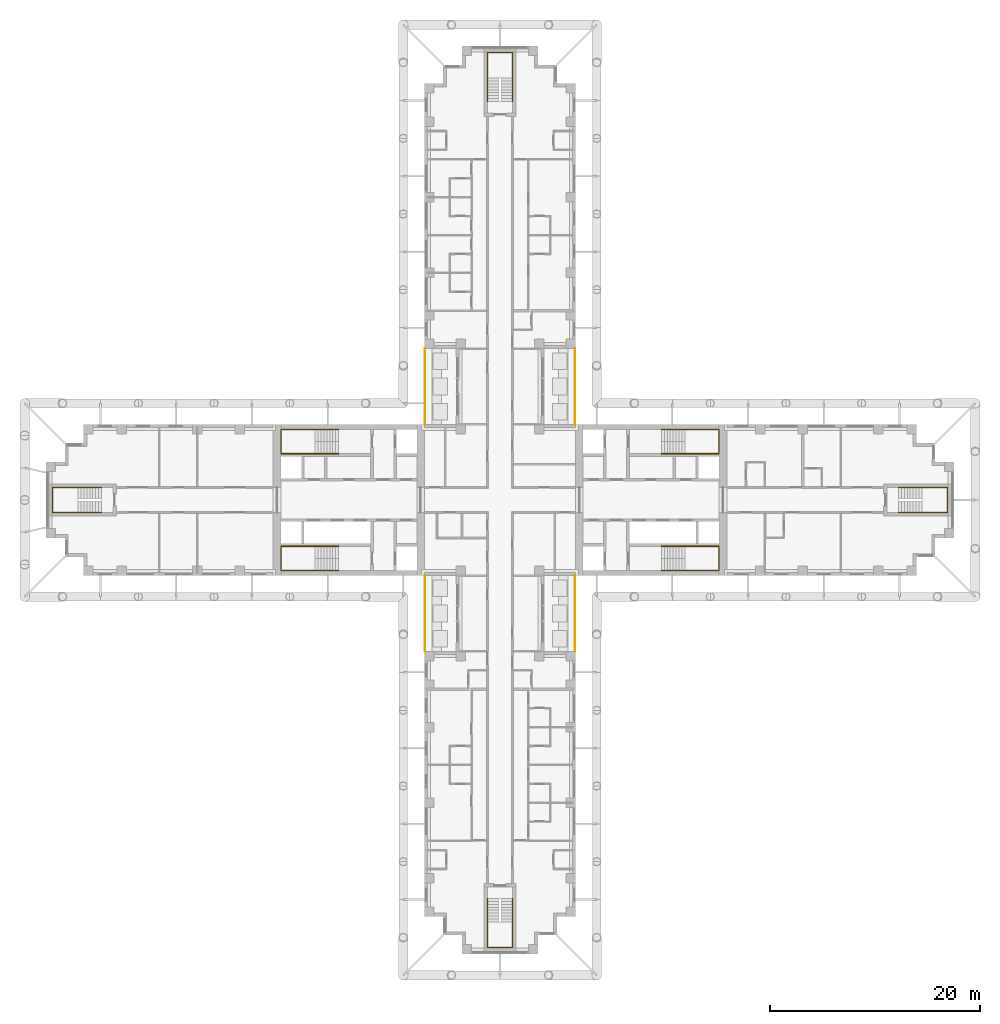
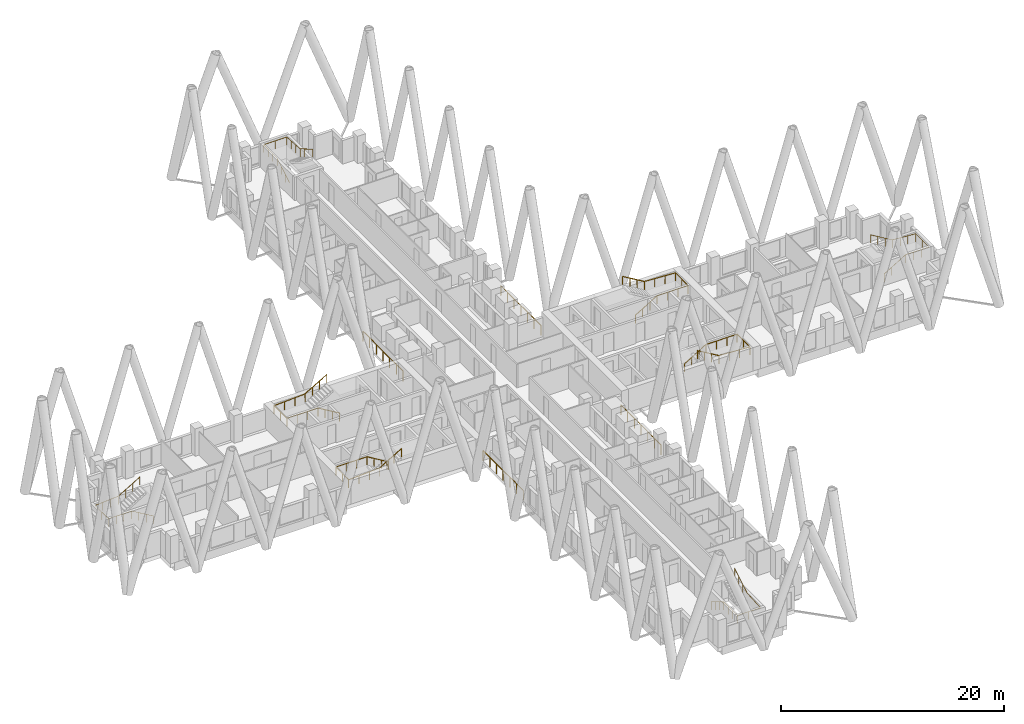
# One storey, part 16 of 17: 12 railings.
"""IFC4 building model written with IfcOpenShell, lengths in metres."""

from ifc_helpers import new_model, si_unit, direction, frame, origin, origin_2d, place, context, subcontext, project, spatial, circle, extrude, material, type_object, element, save


model = new_model("IFC4")

# Units and contexts
model_context = context("Model", 3, precision=1e-05, world=origin(), true_north=direction((0.0, 1.0)))
body_context = subcontext(model_context, "Body", "Model", "MODEL_VIEW")
ifc_project = project(units=[si_unit("LENGTHUNIT", "METRE"), si_unit("AREAUNIT", "SQUARE_METRE"), si_unit("VOLUMEUNIT", "CUBIC_METRE"), si_unit("PLANEANGLEUNIT", "RADIAN"), si_unit("MASSUNIT", "GRAM", prefix="KILO")], contexts=[model_context])

# Site, building, storey
site_placement = place(None, origin())
site = spatial("IfcSite", under=ifc_project, at=site_placement, CompositionType="ELEMENT")
building_placement = place(site_placement, origin())
building = spatial("IfcBuilding", under=site, at=building_placement, Name="Fustian Cross Tower", CompositionType="ELEMENT")
storey_placement = place(building_placement, frame((0.0, 0.0, 32.699951171875)))
storey = spatial("IfcBuildingStorey", under=building, at=storey_placement, Name="L09", CompositionType="ELEMENT", Elevation=32.699951171875)

# Railings
ifc_material_1 = material(Name="Stainless steel and glass", Category="steel")
railing_type_1 = type_object("IfcRailingType", Name="GR1 BALCONY GUARD 1100", PredefinedType="GUARDRAIL", material=ifc_material_1)
for number, where, name in (
    (1, (7.14990234375, 7.199951171875, 0.0), "Balcony guard"),
    (2, (-7.14990234375, 7.199951171875, 0.0), "Balcony guard"),
    (3, (7.14990234375, -14.39990234375, 0.0), "Balcony guard"),
    (4, (-7.14990234375, -14.39990234375, 0.0), "Balcony guard"),
):
    element("IfcRailing", number, at=place(storey_placement, frame(where)), inside=storey, type_object=railing_type_1, Name=name, PredefinedType="GUARDRAIL", context=body_context, shape_type="SweptSolid", body=[
        extrude(circle(Radius=0.02392578125, at=origin_2d()), frame((0.0, 0.0, 1.076171875), z_axis=(0.0, 1.0, 0.0), x_axis=(-1.0, 0.0, 0.0)), (0.0, 0.0, 1.0), 7.199951171875),
        extrude(circle(Radius=0.02099609375, at=origin_2d()), origin(), (0.0, 0.0, 1.0), 1.052001953125),
        extrude(circle(Radius=0.02099609375, at=origin_2d()), frame((0.0, 1.199951171875, 0.0)), (0.0, 0.0, 1.0), 1.052001953125),
        extrude(circle(Radius=0.02099609375, at=origin_2d()), frame((0.0, 2.39990234375, 0.0)), (0.0, 0.0, 1.0), 1.052001953125),
        extrude(circle(Radius=0.02099609375, at=origin_2d()), frame((0.0, 3.60009765625, 0.0)), (0.0, 0.0, 1.0), 1.052001953125),
        extrude(circle(Radius=0.02099609375, at=origin_2d()), frame((0.0, 4.800048828125, 0.0)), (0.0, 0.0, 1.0), 1.052001953125),
        extrude(circle(Radius=0.02099609375, at=origin_2d()), frame((0.0, 6.0, 0.0)), (0.0, 0.0, 1.0), 1.052001953125),
        extrude(circle(Radius=0.02099609375, at=origin_2d()), frame((0.0, 7.199951171875, 0.0)), (0.0, 0.0, 1.0), 1.052001953125),
    ])
ifc_material_2 = material(Name="Stainless steel", Category="steel")
railing_type_2 = type_object("IfcRailingType", Name="STAIR HANDRAIL", PredefinedType="HANDRAIL", material=ifc_material_2)
railing_1_placement = place(storey_placement, frame((15.35009765625, 4.39990234375, 0.166748046875)))
element("IfcRailing", 5, at=railing_1_placement, inside=storey, type_object=railing_type_2, Name="Stair ST1 handrail 1", PredefinedType="HANDRAIL", context=body_context, shape_type="SweptSolid", body=[
    extrude(circle(Radius=0.02490234375, at=origin_2d()), frame((0.0, 0.0, 0.875), z_axis=(0.859305625298, 0.0, 0.511462454469), x_axis=(0.0, 1.0, 0.0)), (0.0, 0.0, 1.0), 2.606689453125),
    extrude(circle(Radius=0.02490234375, at=origin_2d()), frame((2.239990234375, 0.0, 2.2080078125), z_axis=(1.0, 0.0, 0.0), x_axis=(0.0, 1.0, 0.0)), (0.0, 0.0, 1.0), 3.219970703125),
    extrude(circle(Radius=0.02490234375, at=origin_2d()), frame((5.4599609375, 0.0, 2.2080078125), z_axis=(0.0, 1.0, 0.0), x_axis=(-1.0, 0.0, 0.0)), (0.0, 0.0, 1.0), 2.300048828125),
    extrude(circle(Radius=0.02490234375, at=origin_2d()), frame((5.4599609375, 2.300048828125, 2.2080078125), z_axis=(-0.998661817807, 0.0, 0.051716280352), x_axis=(0.0, -1.0, 0.0)), (0.0, 0.0, 1.0), 3.224365234375),
    extrude(circle(Radius=0.02490234375, at=origin_2d()), frame((2.239990234375, 2.300048828125, 2.375), z_axis=(-0.859305625298, 0.0, 0.511462454469), x_axis=(0.0, -1.0, 0.0)), (0.0, 0.0, 1.0), 2.606689453125),
    extrude(circle(Radius=0.02001953125, at=origin_2d()), origin(), (0.0, 0.0, 1.0), 0.849853515625),
    extrude(circle(Radius=0.02001953125, at=origin_2d()), frame((0.74658203125, 0.0, 0.4443359375)), (0.0, 0.0, 1.0), 0.849853515625),
    extrude(circle(Radius=0.02001953125, at=origin_2d()), frame((1.493408203125, 0.0, 0.888916015625)), (0.0, 0.0, 1.0), 0.849853515625),
    extrude(circle(Radius=0.02001953125, at=origin_2d()), frame((2.239990234375, 0.0, 1.333251953125)), (0.0, 0.0, 1.0), 0.849853515625),
    extrude(circle(Radius=0.02001953125, at=origin_2d()), frame((3.313232421875, 0.0, 1.333251953125)), (0.0, 0.0, 1.0), 0.849853515625),
    extrude(circle(Radius=0.02001953125, at=origin_2d()), frame((4.38671875, 0.0, 1.333251953125)), (0.0, 0.0, 1.0), 0.849853515625),
    extrude(circle(Radius=0.02001953125, at=origin_2d()), frame((5.4599609375, 0.0, 1.333251953125)), (0.0, 0.0, 1.0), 0.849853515625),
    extrude(circle(Radius=0.02001953125, at=origin_2d()), frame((5.4599609375, 1.14990234375, 1.333251953125)), (0.0, 0.0, 1.0), 0.849853515625),
    extrude(circle(Radius=0.02001953125, at=origin_2d()), frame((5.4599609375, 2.300048828125, 1.333251953125)), (0.0, 0.0, 1.0), 0.849853515625),
    extrude(circle(Radius=0.02001953125, at=origin_2d()), frame((4.38671875, 2.300048828125, 1.388916015625)), (0.0, 0.0, 1.0), 0.849853515625),
    extrude(circle(Radius=0.02001953125, at=origin_2d()), frame((3.313232421875, 2.300048828125, 1.4443359375)), (0.0, 0.0, 1.0), 0.849853515625),
    extrude(circle(Radius=0.02001953125, at=origin_2d()), frame((2.239990234375, 2.300048828125, 1.5)), (0.0, 0.0, 1.0), 0.849853515625),
    extrude(circle(Radius=0.02001953125, at=origin_2d()), frame((1.493408203125, 2.300048828125, 1.9443359375)), (0.0, 0.0, 1.0), 0.849853515625),
    extrude(circle(Radius=0.02001953125, at=origin_2d()), frame((0.74658203125, 2.300048828125, 2.388916015625)), (0.0, 0.0, 1.0), 0.849853515625),
    extrude(circle(Radius=0.02001953125, at=origin_2d()), frame((0.0, 2.300048828125, 2.833251953125)), (0.0, 0.0, 1.0), 0.849853515625),
])
railing_2_placement = place(storey_placement, frame((15.35009765625, -4.39990234375, 0.166748046875)))
element("IfcRailing", 6, at=railing_2_placement, inside=storey, type_object=railing_type_2, Name="Stair ST2 handrail 1", PredefinedType="HANDRAIL", context=body_context, shape_type="SweptSolid", body=[
    extrude(circle(Radius=0.02490234375, at=origin_2d()), frame((0.0, 0.0, 0.875), z_axis=(0.859305625298, 0.0, 0.511462454469), x_axis=(0.0, 1.0, 0.0)), (0.0, 0.0, 1.0), 2.606689453125),
    extrude(circle(Radius=0.02490234375, at=origin_2d()), frame((2.239990234375, 0.0, 2.2080078125), z_axis=(1.0, 0.0, 0.0), x_axis=(0.0, 1.0, 0.0)), (0.0, 0.0, 1.0), 3.219970703125),
    extrude(circle(Radius=0.02490234375, at=origin_2d()), frame((5.4599609375, 0.0, 2.2080078125), z_axis=(0.0, -1.0, 0.0), x_axis=(1.0, 0.0, 0.0)), (0.0, 0.0, 1.0), 2.300048828125),
    extrude(circle(Radius=0.02490234375, at=origin_2d()), frame((5.4599609375, -2.300048828125, 2.2080078125), z_axis=(-0.998661817807, 0.0, 0.051716280352), x_axis=(0.0, -1.0, 0.0)), (0.0, 0.0, 1.0), 3.224365234375),
    extrude(circle(Radius=0.02490234375, at=origin_2d()), frame((2.239990234375, -2.300048828125, 2.375), z_axis=(-0.859305625298, 0.0, 0.511462454469), x_axis=(0.0, -1.0, 0.0)), (0.0, 0.0, 1.0), 2.606689453125),
    extrude(circle(Radius=0.02001953125, at=origin_2d()), origin(), (0.0, 0.0, 1.0), 0.849853515625),
    extrude(circle(Radius=0.02001953125, at=origin_2d()), frame((0.74658203125, 0.0, 0.4443359375)), (0.0, 0.0, 1.0), 0.849853515625),
    extrude(circle(Radius=0.02001953125, at=origin_2d()), frame((1.493408203125, 0.0, 0.888916015625)), (0.0, 0.0, 1.0), 0.849853515625),
    extrude(circle(Radius=0.02001953125, at=origin_2d()), frame((2.239990234375, 0.0, 1.333251953125)), (0.0, 0.0, 1.0), 0.849853515625),
    extrude(circle(Radius=0.02001953125, at=origin_2d()), frame((3.313232421875, 0.0, 1.333251953125)), (0.0, 0.0, 1.0), 0.849853515625),
    extrude(circle(Radius=0.02001953125, at=origin_2d()), frame((4.38671875, 0.0, 1.333251953125)), (0.0, 0.0, 1.0), 0.849853515625),
    extrude(circle(Radius=0.02001953125, at=origin_2d()), frame((5.4599609375, 0.0, 1.333251953125)), (0.0, 0.0, 1.0), 0.849853515625),
    extrude(circle(Radius=0.02001953125, at=origin_2d()), frame((5.4599609375, -1.14990234375, 1.333251953125)), (0.0, 0.0, 1.0), 0.849853515625),
    extrude(circle(Radius=0.02001953125, at=origin_2d()), frame((5.4599609375, -2.300048828125, 1.333251953125)), (0.0, 0.0, 1.0), 0.849853515625),
    extrude(circle(Radius=0.02001953125, at=origin_2d()), frame((4.38671875, -2.300048828125, 1.388916015625)), (0.0, 0.0, 1.0), 0.849853515625),
    extrude(circle(Radius=0.02001953125, at=origin_2d()), frame((3.313232421875, -2.300048828125, 1.4443359375)), (0.0, 0.0, 1.0), 0.849853515625),
    extrude(circle(Radius=0.02001953125, at=origin_2d()), frame((2.239990234375, -2.300048828125, 1.5)), (0.0, 0.0, 1.0), 0.849853515625),
    extrude(circle(Radius=0.02001953125, at=origin_2d()), frame((1.493408203125, -2.300048828125, 1.9443359375)), (0.0, 0.0, 1.0), 0.849853515625),
    extrude(circle(Radius=0.02001953125, at=origin_2d()), frame((0.74658203125, -2.300048828125, 2.388916015625)), (0.0, 0.0, 1.0), 0.849853515625),
    extrude(circle(Radius=0.02001953125, at=origin_2d()), frame((0.0, -2.300048828125, 2.833251953125)), (0.0, 0.0, 1.0), 0.849853515625),
])
railing_3_placement = place(storey_placement, frame((-15.35009765625, 4.39990234375, 0.166748046875)))
element("IfcRailing", 7, at=railing_3_placement, inside=storey, type_object=railing_type_2, Name="Stair ST3 handrail 1", PredefinedType="HANDRAIL", context=body_context, shape_type="SweptSolid", body=[
    extrude(circle(Radius=0.02490234375, at=origin_2d()), frame((0.0, 0.0, 0.875), z_axis=(-0.859305625298, 0.0, 0.511462454469), x_axis=(0.0, -1.0, 0.0)), (0.0, 0.0, 1.0), 2.606689453125),
    extrude(circle(Radius=0.02490234375, at=origin_2d()), frame((-2.239990234375, 0.0, 2.2080078125), z_axis=(-1.0, 0.0, 0.0), x_axis=(0.0, -1.0, 0.0)), (0.0, 0.0, 1.0), 3.219970703125),
    extrude(circle(Radius=0.02490234375, at=origin_2d()), frame((-5.4599609375, 0.0, 2.2080078125), z_axis=(0.0, 1.0, 0.0), x_axis=(-1.0, 0.0, 0.0)), (0.0, 0.0, 1.0), 2.300048828125),
    extrude(circle(Radius=0.02490234375, at=origin_2d()), frame((-5.4599609375, 2.300048828125, 2.2080078125), z_axis=(0.998661817807, 0.0, 0.051716280352), x_axis=(0.0, 1.0, 0.0)), (0.0, 0.0, 1.0), 3.224365234375),
    extrude(circle(Radius=0.02490234375, at=origin_2d()), frame((-2.239990234375, 2.300048828125, 2.375), z_axis=(0.859305625298, 0.0, 0.511462454469), x_axis=(0.0, 1.0, 0.0)), (0.0, 0.0, 1.0), 2.606689453125),
    extrude(circle(Radius=0.02001953125, at=origin_2d()), origin(), (0.0, 0.0, 1.0), 0.849853515625),
    extrude(circle(Radius=0.02001953125, at=origin_2d()), frame((-0.74658203125, 0.0, 0.4443359375)), (0.0, 0.0, 1.0), 0.849853515625),
    extrude(circle(Radius=0.02001953125, at=origin_2d()), frame((-1.493408203125, 0.0, 0.888916015625)), (0.0, 0.0, 1.0), 0.849853515625),
    extrude(circle(Radius=0.02001953125, at=origin_2d()), frame((-2.239990234375, 0.0, 1.333251953125)), (0.0, 0.0, 1.0), 0.849853515625),
    extrude(circle(Radius=0.02001953125, at=origin_2d()), frame((-3.313232421875, 0.0, 1.333251953125)), (0.0, 0.0, 1.0), 0.849853515625),
    extrude(circle(Radius=0.02001953125, at=origin_2d()), frame((-4.38671875, 0.0, 1.333251953125)), (0.0, 0.0, 1.0), 0.849853515625),
    extrude(circle(Radius=0.02001953125, at=origin_2d()), frame((-5.4599609375, 0.0, 1.333251953125)), (0.0, 0.0, 1.0), 0.849853515625),
    extrude(circle(Radius=0.02001953125, at=origin_2d()), frame((-5.4599609375, 1.14990234375, 1.333251953125)), (0.0, 0.0, 1.0), 0.849853515625),
    extrude(circle(Radius=0.02001953125, at=origin_2d()), frame((-5.4599609375, 2.300048828125, 1.333251953125)), (0.0, 0.0, 1.0), 0.849853515625),
    extrude(circle(Radius=0.02001953125, at=origin_2d()), frame((-4.38671875, 2.300048828125, 1.388916015625)), (0.0, 0.0, 1.0), 0.849853515625),
    extrude(circle(Radius=0.02001953125, at=origin_2d()), frame((-3.313232421875, 2.300048828125, 1.4443359375)), (0.0, 0.0, 1.0), 0.849853515625),
    extrude(circle(Radius=0.02001953125, at=origin_2d()), frame((-2.239990234375, 2.300048828125, 1.5)), (0.0, 0.0, 1.0), 0.849853515625),
    extrude(circle(Radius=0.02001953125, at=origin_2d()), frame((-1.493408203125, 2.300048828125, 1.9443359375)), (0.0, 0.0, 1.0), 0.849853515625),
    extrude(circle(Radius=0.02001953125, at=origin_2d()), frame((-0.74658203125, 2.300048828125, 2.388916015625)), (0.0, 0.0, 1.0), 0.849853515625),
    extrude(circle(Radius=0.02001953125, at=origin_2d()), frame((0.0, 2.300048828125, 2.833251953125)), (0.0, 0.0, 1.0), 0.849853515625),
])
railing_4_placement = place(storey_placement, frame((-15.35009765625, -4.39990234375, 0.166748046875)))
element("IfcRailing", 8, at=railing_4_placement, inside=storey, type_object=railing_type_2, Name="Stair ST4 handrail 1", PredefinedType="HANDRAIL", context=body_context, shape_type="SweptSolid", body=[
    extrude(circle(Radius=0.02490234375, at=origin_2d()), frame((0.0, 0.0, 0.875), z_axis=(-0.859305625298, 0.0, 0.511462454469), x_axis=(0.0, -1.0, 0.0)), (0.0, 0.0, 1.0), 2.606689453125),
    extrude(circle(Radius=0.02490234375, at=origin_2d()), frame((-2.239990234375, 0.0, 2.2080078125), z_axis=(-1.0, 0.0, 0.0), x_axis=(0.0, -1.0, 0.0)), (0.0, 0.0, 1.0), 3.219970703125),
    extrude(circle(Radius=0.02490234375, at=origin_2d()), frame((-5.4599609375, 0.0, 2.2080078125), z_axis=(0.0, -1.0, 0.0), x_axis=(1.0, 0.0, 0.0)), (0.0, 0.0, 1.0), 2.300048828125),
    extrude(circle(Radius=0.02490234375, at=origin_2d()), frame((-5.4599609375, -2.300048828125, 2.2080078125), z_axis=(0.998661817807, 0.0, 0.051716280352), x_axis=(0.0, 1.0, 0.0)), (0.0, 0.0, 1.0), 3.224365234375),
    extrude(circle(Radius=0.02490234375, at=origin_2d()), frame((-2.239990234375, -2.300048828125, 2.375), z_axis=(0.859305625298, 0.0, 0.511462454469), x_axis=(0.0, 1.0, 0.0)), (0.0, 0.0, 1.0), 2.606689453125),
    extrude(circle(Radius=0.02001953125, at=origin_2d()), origin(), (0.0, 0.0, 1.0), 0.849853515625),
    extrude(circle(Radius=0.02001953125, at=origin_2d()), frame((-0.74658203125, 0.0, 0.4443359375)), (0.0, 0.0, 1.0), 0.849853515625),
    extrude(circle(Radius=0.02001953125, at=origin_2d()), frame((-1.493408203125, 0.0, 0.888916015625)), (0.0, 0.0, 1.0), 0.849853515625),
    extrude(circle(Radius=0.02001953125, at=origin_2d()), frame((-2.239990234375, 0.0, 1.333251953125)), (0.0, 0.0, 1.0), 0.849853515625),
    extrude(circle(Radius=0.02001953125, at=origin_2d()), frame((-3.313232421875, 0.0, 1.333251953125)), (0.0, 0.0, 1.0), 0.849853515625),
    extrude(circle(Radius=0.02001953125, at=origin_2d()), frame((-4.38671875, 0.0, 1.333251953125)), (0.0, 0.0, 1.0), 0.849853515625),
    extrude(circle(Radius=0.02001953125, at=origin_2d()), frame((-5.4599609375, 0.0, 1.333251953125)), (0.0, 0.0, 1.0), 0.849853515625),
    extrude(circle(Radius=0.02001953125, at=origin_2d()), frame((-5.4599609375, -1.14990234375, 1.333251953125)), (0.0, 0.0, 1.0), 0.849853515625),
    extrude(circle(Radius=0.02001953125, at=origin_2d()), frame((-5.4599609375, -2.300048828125, 1.333251953125)), (0.0, 0.0, 1.0), 0.849853515625),
    extrude(circle(Radius=0.02001953125, at=origin_2d()), frame((-4.38671875, -2.300048828125, 1.388916015625)), (0.0, 0.0, 1.0), 0.849853515625),
    extrude(circle(Radius=0.02001953125, at=origin_2d()), frame((-3.313232421875, -2.300048828125, 1.4443359375)), (0.0, 0.0, 1.0), 0.849853515625),
    extrude(circle(Radius=0.02001953125, at=origin_2d()), frame((-2.239990234375, -2.300048828125, 1.5)), (0.0, 0.0, 1.0), 0.849853515625),
    extrude(circle(Radius=0.02001953125, at=origin_2d()), frame((-1.493408203125, -2.300048828125, 1.9443359375)), (0.0, 0.0, 1.0), 0.849853515625),
    extrude(circle(Radius=0.02001953125, at=origin_2d()), frame((-0.74658203125, -2.300048828125, 2.388916015625)), (0.0, 0.0, 1.0), 0.849853515625),
    extrude(circle(Radius=0.02001953125, at=origin_2d()), frame((0.0, -2.300048828125, 2.833251953125)), (0.0, 0.0, 1.0), 0.849853515625),
])
railing_5_placement = place(storey_placement, frame((-1.199951171875, 37.89990234375, 0.166748046875)))
element("IfcRailing", 9, at=railing_5_placement, inside=storey, type_object=railing_type_2, Name="Stair ST5 handrail 1", PredefinedType="HANDRAIL", context=body_context, shape_type="SweptSolid", body=[
    extrude(circle(Radius=0.02490234375, at=origin_2d()), frame((0.0, 0.0, 0.875), z_axis=(0.0, 0.859305625298, 0.511462454469), x_axis=(-1.0, 0.0, 0.0)), (0.0, 0.0, 1.0), 2.606689453125),
    extrude(circle(Radius=0.02490234375, at=origin_2d()), frame((0.0, 2.239990234375, 2.2080078125), z_axis=(0.0, 1.0, 0.0), x_axis=(-1.0, 0.0, 0.0)), (0.0, 0.0, 1.0), 2.420166015625),
    extrude(circle(Radius=0.02490234375, at=origin_2d()), frame((0.0, 4.66015625, 2.2080078125), z_axis=(1.0, 0.0, 0.0), x_axis=(0.0, 1.0, 0.0)), (0.0, 0.0, 1.0), 2.39990234375),
    extrude(circle(Radius=0.02490234375, at=origin_2d()), frame((2.39990234375, 4.66015625, 2.2080078125), z_axis=(0.0, -0.997634852044, 0.068736467663), x_axis=(1.0, 0.0, 0.0)), (0.0, 0.0, 1.0), 2.426025390625),
    extrude(circle(Radius=0.02490234375, at=origin_2d()), frame((2.39990234375, 2.239990234375, 2.375), z_axis=(0.0, -0.859305625298, 0.511462454469), x_axis=(1.0, 0.0, 0.0)), (0.0, 0.0, 1.0), 2.606689453125),
    extrude(circle(Radius=0.02001953125, at=origin_2d()), origin(), (0.0, 0.0, 1.0), 0.849853515625),
    extrude(circle(Radius=0.02001953125, at=origin_2d()), frame((0.0, 0.74658203125, 0.4443359375)), (0.0, 0.0, 1.0), 0.849853515625),
    extrude(circle(Radius=0.02001953125, at=origin_2d()), frame((0.0, 1.493408203125, 0.888916015625)), (0.0, 0.0, 1.0), 0.849853515625),
    extrude(circle(Radius=0.02001953125, at=origin_2d()), frame((0.0, 2.239990234375, 1.333251953125)), (0.0, 0.0, 1.0), 0.849853515625),
    extrude(circle(Radius=0.02001953125, at=origin_2d()), frame((0.0, 3.046630859375, 1.333251953125)), (0.0, 0.0, 1.0), 0.849853515625),
    extrude(circle(Radius=0.02001953125, at=origin_2d()), frame((0.0, 3.853515625, 1.333251953125)), (0.0, 0.0, 1.0), 0.849853515625),
    extrude(circle(Radius=0.02001953125, at=origin_2d()), frame((0.0, 4.66015625, 1.333251953125)), (0.0, 0.0, 1.0), 0.849853515625),
    extrude(circle(Radius=0.02001953125, at=origin_2d()), frame((1.199951171875, 4.66015625, 1.333251953125)), (0.0, 0.0, 1.0), 0.849853515625),
    extrude(circle(Radius=0.02001953125, at=origin_2d()), frame((2.39990234375, 4.66015625, 1.333251953125)), (0.0, 0.0, 1.0), 0.849853515625),
    extrude(circle(Radius=0.02001953125, at=origin_2d()), frame((2.39990234375, 3.853515625, 1.388916015625)), (0.0, 0.0, 1.0), 0.849853515625),
    extrude(circle(Radius=0.02001953125, at=origin_2d()), frame((2.39990234375, 3.046630859375, 1.4443359375)), (0.0, 0.0, 1.0), 0.849853515625),
    extrude(circle(Radius=0.02001953125, at=origin_2d()), frame((2.39990234375, 2.239990234375, 1.5)), (0.0, 0.0, 1.0), 0.849853515625),
    extrude(circle(Radius=0.02001953125, at=origin_2d()), frame((2.39990234375, 1.493408203125, 1.9443359375)), (0.0, 0.0, 1.0), 0.849853515625),
    extrude(circle(Radius=0.02001953125, at=origin_2d()), frame((2.39990234375, 0.74658203125, 2.388916015625)), (0.0, 0.0, 1.0), 0.849853515625),
    extrude(circle(Radius=0.02001953125, at=origin_2d()), frame((2.39990234375, 0.0, 2.833251953125)), (0.0, 0.0, 1.0), 0.849853515625),
])
railing_6_placement = place(storey_placement, frame((-1.199951171875, -37.89990234375, 0.166748046875)))
element("IfcRailing", 10, at=railing_6_placement, inside=storey, type_object=railing_type_2, Name="Stair ST6 handrail 1", PredefinedType="HANDRAIL", context=body_context, shape_type="SweptSolid", body=[
    extrude(circle(Radius=0.02490234375, at=origin_2d()), frame((0.0, 0.0, 0.875), z_axis=(0.0, -0.859305625298, 0.511462454469), x_axis=(1.0, 0.0, 0.0)), (0.0, 0.0, 1.0), 2.606689453125),
    extrude(circle(Radius=0.02490234375, at=origin_2d()), frame((0.0, -2.239990234375, 2.2080078125), z_axis=(0.0, -1.0, 0.0), x_axis=(1.0, 0.0, 0.0)), (0.0, 0.0, 1.0), 2.420166015625),
    extrude(circle(Radius=0.02490234375, at=origin_2d()), frame((0.0, -4.66015625, 2.2080078125), z_axis=(1.0, 0.0, 0.0), x_axis=(0.0, 1.0, 0.0)), (0.0, 0.0, 1.0), 2.39990234375),
    extrude(circle(Radius=0.02490234375, at=origin_2d()), frame((2.39990234375, -4.66015625, 2.2080078125), z_axis=(0.0, 0.997634852044, 0.068736467663), x_axis=(-1.0, 0.0, 0.0)), (0.0, 0.0, 1.0), 2.426025390625),
    extrude(circle(Radius=0.02490234375, at=origin_2d()), frame((2.39990234375, -2.239990234375, 2.375), z_axis=(0.0, 0.859305625298, 0.511462454469), x_axis=(-1.0, 0.0, 0.0)), (0.0, 0.0, 1.0), 2.606689453125),
    extrude(circle(Radius=0.02001953125, at=origin_2d()), origin(), (0.0, 0.0, 1.0), 0.849853515625),
    extrude(circle(Radius=0.02001953125, at=origin_2d()), frame((0.0, -0.74658203125, 0.4443359375)), (0.0, 0.0, 1.0), 0.849853515625),
    extrude(circle(Radius=0.02001953125, at=origin_2d()), frame((0.0, -1.493408203125, 0.888916015625)), (0.0, 0.0, 1.0), 0.849853515625),
    extrude(circle(Radius=0.02001953125, at=origin_2d()), frame((0.0, -2.239990234375, 1.333251953125)), (0.0, 0.0, 1.0), 0.849853515625),
    extrude(circle(Radius=0.02001953125, at=origin_2d()), frame((0.0, -3.046630859375, 1.333251953125)), (0.0, 0.0, 1.0), 0.849853515625),
    extrude(circle(Radius=0.02001953125, at=origin_2d()), frame((0.0, -3.853515625, 1.333251953125)), (0.0, 0.0, 1.0), 0.849853515625),
    extrude(circle(Radius=0.02001953125, at=origin_2d()), frame((0.0, -4.66015625, 1.333251953125)), (0.0, 0.0, 1.0), 0.849853515625),
    extrude(circle(Radius=0.02001953125, at=origin_2d()), frame((1.199951171875, -4.66015625, 1.333251953125)), (0.0, 0.0, 1.0), 0.849853515625),
    extrude(circle(Radius=0.02001953125, at=origin_2d()), frame((2.39990234375, -4.66015625, 1.333251953125)), (0.0, 0.0, 1.0), 0.849853515625),
    extrude(circle(Radius=0.02001953125, at=origin_2d()), frame((2.39990234375, -3.853515625, 1.388916015625)), (0.0, 0.0, 1.0), 0.849853515625),
    extrude(circle(Radius=0.02001953125, at=origin_2d()), frame((2.39990234375, -3.046630859375, 1.4443359375)), (0.0, 0.0, 1.0), 0.849853515625),
    extrude(circle(Radius=0.02001953125, at=origin_2d()), frame((2.39990234375, -2.239990234375, 1.5)), (0.0, 0.0, 1.0), 0.849853515625),
    extrude(circle(Radius=0.02001953125, at=origin_2d()), frame((2.39990234375, -1.493408203125, 1.9443359375)), (0.0, 0.0, 1.0), 0.849853515625),
    extrude(circle(Radius=0.02001953125, at=origin_2d()), frame((2.39990234375, -0.74658203125, 2.388916015625)), (0.0, 0.0, 1.0), 0.849853515625),
    extrude(circle(Radius=0.02001953125, at=origin_2d()), frame((2.39990234375, 0.0, 2.833251953125)), (0.0, 0.0, 1.0), 0.849853515625),
])
railing_7_placement = place(storey_placement, frame((37.89990234375, -1.199951171875, 0.166748046875)))
element("IfcRailing", 11, at=railing_7_placement, inside=storey, type_object=railing_type_2, Name="Stair ST8 handrail 1", PredefinedType="HANDRAIL", context=body_context, shape_type="SweptSolid", body=[
    extrude(circle(Radius=0.02490234375, at=origin_2d()), frame((0.0, 0.0, 0.875), z_axis=(0.859305625298, 0.0, 0.511462454469), x_axis=(0.0, 1.0, 0.0)), (0.0, 0.0, 1.0), 2.606689453125),
    extrude(circle(Radius=0.02490234375, at=origin_2d()), frame((2.239990234375, 0.0, 2.2080078125), z_axis=(1.0, 0.0, 0.0), x_axis=(0.0, 1.0, 0.0)), (0.0, 0.0, 1.0), 2.420166015625),
    extrude(circle(Radius=0.02490234375, at=origin_2d()), frame((4.66015625, 0.0, 2.2080078125), z_axis=(0.0, 1.0, 0.0), x_axis=(-1.0, 0.0, 0.0)), (0.0, 0.0, 1.0), 2.39990234375),
    extrude(circle(Radius=0.02490234375, at=origin_2d()), frame((4.66015625, 2.39990234375, 2.2080078125), z_axis=(-0.997634852044, 0.0, 0.068736467663), x_axis=(0.0, -1.0, 0.0)), (0.0, 0.0, 1.0), 2.426025390625),
    extrude(circle(Radius=0.02490234375, at=origin_2d()), frame((2.239990234375, 2.39990234375, 2.375), z_axis=(-0.859305625298, 0.0, 0.511462454469), x_axis=(0.0, -1.0, 0.0)), (0.0, 0.0, 1.0), 2.606689453125),
    extrude(circle(Radius=0.02001953125, at=origin_2d()), origin(), (0.0, 0.0, 1.0), 0.849853515625),
    extrude(circle(Radius=0.02001953125, at=origin_2d()), frame((0.74658203125, 0.0, 0.4443359375)), (0.0, 0.0, 1.0), 0.849853515625),
    extrude(circle(Radius=0.02001953125, at=origin_2d()), frame((1.493408203125, 0.0, 0.888916015625)), (0.0, 0.0, 1.0), 0.849853515625),
    extrude(circle(Radius=0.02001953125, at=origin_2d()), frame((2.239990234375, 0.0, 1.333251953125)), (0.0, 0.0, 1.0), 0.849853515625),
    extrude(circle(Radius=0.02001953125, at=origin_2d()), frame((3.046630859375, 0.0, 1.333251953125)), (0.0, 0.0, 1.0), 0.849853515625),
    extrude(circle(Radius=0.02001953125, at=origin_2d()), frame((3.853515625, 0.0, 1.333251953125)), (0.0, 0.0, 1.0), 0.849853515625),
    extrude(circle(Radius=0.02001953125, at=origin_2d()), frame((4.66015625, 0.0, 1.333251953125)), (0.0, 0.0, 1.0), 0.849853515625),
    extrude(circle(Radius=0.02001953125, at=origin_2d()), frame((4.66015625, 1.199951171875, 1.333251953125)), (0.0, 0.0, 1.0), 0.849853515625),
    extrude(circle(Radius=0.02001953125, at=origin_2d()), frame((4.66015625, 2.39990234375, 1.333251953125)), (0.0, 0.0, 1.0), 0.849853515625),
    extrude(circle(Radius=0.02001953125, at=origin_2d()), frame((3.853515625, 2.39990234375, 1.388916015625)), (0.0, 0.0, 1.0), 0.849853515625),
    extrude(circle(Radius=0.02001953125, at=origin_2d()), frame((3.046630859375, 2.39990234375, 1.4443359375)), (0.0, 0.0, 1.0), 0.849853515625),
    extrude(circle(Radius=0.02001953125, at=origin_2d()), frame((2.239990234375, 2.39990234375, 1.5)), (0.0, 0.0, 1.0), 0.849853515625),
    extrude(circle(Radius=0.02001953125, at=origin_2d()), frame((1.493408203125, 2.39990234375, 1.9443359375)), (0.0, 0.0, 1.0), 0.849853515625),
    extrude(circle(Radius=0.02001953125, at=origin_2d()), frame((0.74658203125, 2.39990234375, 2.388916015625)), (0.0, 0.0, 1.0), 0.849853515625),
    extrude(circle(Radius=0.02001953125, at=origin_2d()), frame((0.0, 2.39990234375, 2.833251953125)), (0.0, 0.0, 1.0), 0.849853515625),
])
railing_8_placement = place(storey_placement, frame((-37.89990234375, -1.199951171875, 0.166748046875)))
element("IfcRailing", 12, at=railing_8_placement, inside=storey, type_object=railing_type_2, Name="Stair ST9 handrail 1", PredefinedType="HANDRAIL", context=body_context, shape_type="SweptSolid", body=[
    extrude(circle(Radius=0.02490234375, at=origin_2d()), frame((0.0, 0.0, 0.875), z_axis=(-0.859305625298, 0.0, 0.511462454469), x_axis=(0.0, -1.0, 0.0)), (0.0, 0.0, 1.0), 2.606689453125),
    extrude(circle(Radius=0.02490234375, at=origin_2d()), frame((-2.239990234375, 0.0, 2.2080078125), z_axis=(-1.0, 0.0, 0.0), x_axis=(0.0, -1.0, 0.0)), (0.0, 0.0, 1.0), 2.420166015625),
    extrude(circle(Radius=0.02490234375, at=origin_2d()), frame((-4.66015625, 0.0, 2.2080078125), z_axis=(0.0, 1.0, 0.0), x_axis=(-1.0, 0.0, 0.0)), (0.0, 0.0, 1.0), 2.39990234375),
    extrude(circle(Radius=0.02490234375, at=origin_2d()), frame((-4.66015625, 2.39990234375, 2.2080078125), z_axis=(0.997634852044, 0.0, 0.068736467663), x_axis=(0.0, 1.0, 0.0)), (0.0, 0.0, 1.0), 2.426025390625),
    extrude(circle(Radius=0.02490234375, at=origin_2d()), frame((-2.239990234375, 2.39990234375, 2.375), z_axis=(0.859305625298, 0.0, 0.511462454469), x_axis=(0.0, 1.0, 0.0)), (0.0, 0.0, 1.0), 2.606689453125),
    extrude(circle(Radius=0.02001953125, at=origin_2d()), origin(), (0.0, 0.0, 1.0), 0.849853515625),
    extrude(circle(Radius=0.02001953125, at=origin_2d()), frame((-0.74658203125, 0.0, 0.4443359375)), (0.0, 0.0, 1.0), 0.849853515625),
    extrude(circle(Radius=0.02001953125, at=origin_2d()), frame((-1.493408203125, 0.0, 0.888916015625)), (0.0, 0.0, 1.0), 0.849853515625),
    extrude(circle(Radius=0.02001953125, at=origin_2d()), frame((-2.239990234375, 0.0, 1.333251953125)), (0.0, 0.0, 1.0), 0.849853515625),
    extrude(circle(Radius=0.02001953125, at=origin_2d()), frame((-3.046630859375, 0.0, 1.333251953125)), (0.0, 0.0, 1.0), 0.849853515625),
    extrude(circle(Radius=0.02001953125, at=origin_2d()), frame((-3.853515625, 0.0, 1.333251953125)), (0.0, 0.0, 1.0), 0.849853515625),
    extrude(circle(Radius=0.02001953125, at=origin_2d()), frame((-4.66015625, 0.0, 1.333251953125)), (0.0, 0.0, 1.0), 0.849853515625),
    extrude(circle(Radius=0.02001953125, at=origin_2d()), frame((-4.66015625, 1.199951171875, 1.333251953125)), (0.0, 0.0, 1.0), 0.849853515625),
    extrude(circle(Radius=0.02001953125, at=origin_2d()), frame((-4.66015625, 2.39990234375, 1.333251953125)), (0.0, 0.0, 1.0), 0.849853515625),
    extrude(circle(Radius=0.02001953125, at=origin_2d()), frame((-3.853515625, 2.39990234375, 1.388916015625)), (0.0, 0.0, 1.0), 0.849853515625),
    extrude(circle(Radius=0.02001953125, at=origin_2d()), frame((-3.046630859375, 2.39990234375, 1.4443359375)), (0.0, 0.0, 1.0), 0.849853515625),
    extrude(circle(Radius=0.02001953125, at=origin_2d()), frame((-2.239990234375, 2.39990234375, 1.5)), (0.0, 0.0, 1.0), 0.849853515625),
    extrude(circle(Radius=0.02001953125, at=origin_2d()), frame((-1.493408203125, 2.39990234375, 1.9443359375)), (0.0, 0.0, 1.0), 0.849853515625),
    extrude(circle(Radius=0.02001953125, at=origin_2d()), frame((-0.74658203125, 2.39990234375, 2.388916015625)), (0.0, 0.0, 1.0), 0.849853515625),
    extrude(circle(Radius=0.02001953125, at=origin_2d()), frame((0.0, 2.39990234375, 2.833251953125)), (0.0, 0.0, 1.0), 0.849853515625),
])

save(model, "model.ifc")
